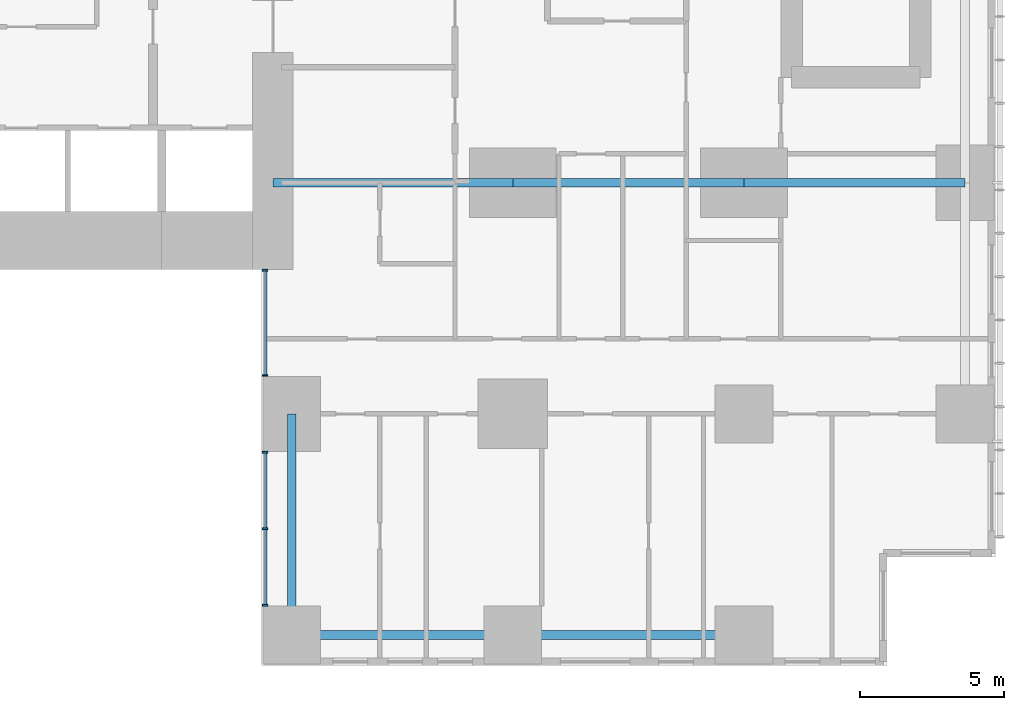
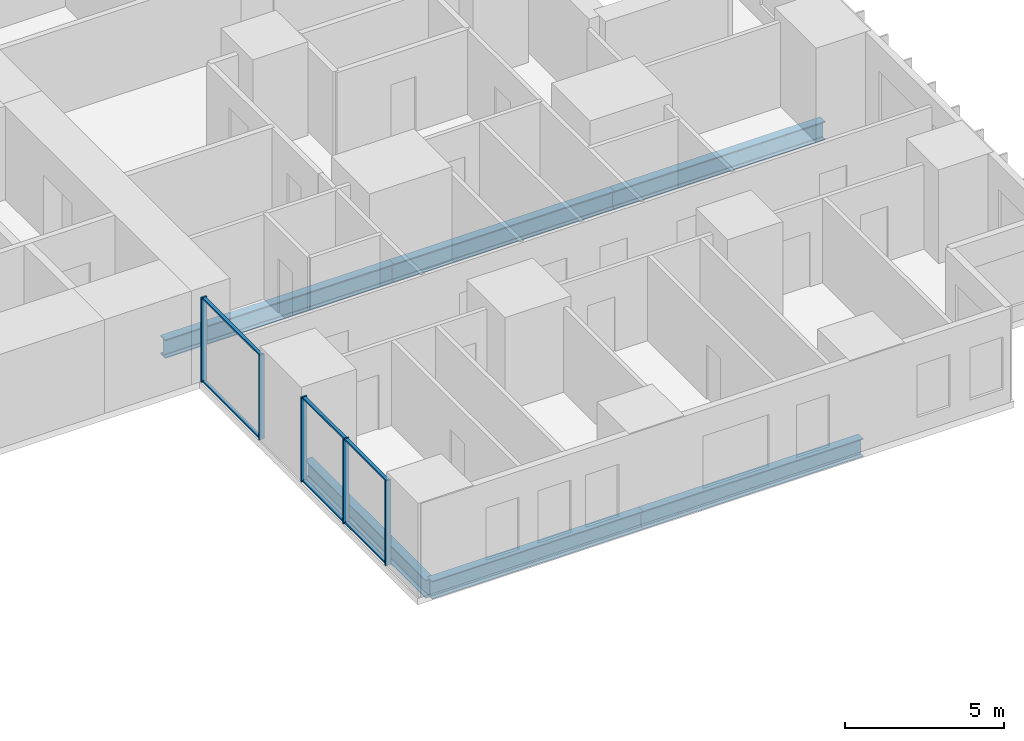
# One storey, part 3 of 20: 11 members, 6 beams, 2 elements without a shape of their own.
"""IFC4 building model written with IfcOpenShell, lengths in metres."""

import ifcopenshell
import ifcopenshell.guid

model = None  # the IFC model being written
_history = None  # IfcOwnerHistory: only IFC2X3 demands one
_inside = {}  # id of a spatial element -> (the spatial element, [elements in it])
_under = {}  # id of a project, library or spatial element -> (it, [spatial elements below it])
_declared = {}  # id of a project -> (the project, [libraries it declares])
_typed = {}  # id of a type object -> (the type object, [elements of that type])
_made_of = {}  # id of a material, layer set ... -> (it, [elements and type objects made of it])


def new_model(schema):
    """Start an empty IFC model of exactly this schema.

    Asked for "IFC4X3", IfcOpenShell would pick the latest addendum, in which some entities
    have other attributes; the version numbers below select the first issue.
    IFC2X3 requires an IfcOwnerHistory on every rooted entity: one is made here for all.
    """
    global model, _history
    if schema == "IFC4X3":
        model = ifcopenshell.file(schema_version=(4, 3, 0, 0))
    else:
        model = ifcopenshell.file(schema=schema)
    _inside.clear()
    _under.clear()
    _declared.clear()
    _typed.clear()
    _made_of.clear()
    _history = None
    if model.schema == "IFC2X3":
        org = make("IfcOrganization", Name="unknown")
        user = make(
            "IfcPersonAndOrganization",
            ThePerson=make("IfcPerson", FamilyName="unknown"),
            TheOrganization=org,
        )
        app = make(
            "IfcApplication",
            ApplicationDeveloper=org,
            Version="unknown",
            ApplicationFullName="unknown",
            ApplicationIdentifier="unknown",
        )
        _history = make(
            "IfcOwnerHistory",
            OwningUser=user,
            OwningApplication=app,
            ChangeAction="ADDED",
            CreationDate=0,
        )
    return model


def make(cls, **values):
    """One entity of the class cls with the attributes given. An attribute that is None is left unset."""
    return model.create_entity(
        cls, **{name: value for name, value in values.items() if value is not None}
    )


def rooted(cls, **values):
    """An entity with a GlobalId (a new one), such as an element, a storey or a relation."""
    return make(cls, GlobalId=ifcopenshell.guid.new(), OwnerHistory=_history, **values)


def si_unit(unit_type, name, prefix=None):
    """IfcSIUnit, for example si_unit("LENGTHUNIT", "METRE", prefix="MILLI")."""
    return make("IfcSIUnit", UnitType=unit_type, Prefix=prefix, Name=name)


def assignment(units):
    """IfcUnitAssignment: the units of a project."""
    return None if units is None else make("IfcUnitAssignment", Units=units)


def point(xyz):
    """IfcCartesianPoint."""
    return None if xyz is None else make("IfcCartesianPoint", Coordinates=xyz)


def direction(xyz):
    """IfcDirection."""
    return None if xyz is None else make("IfcDirection", DirectionRatios=xyz)


def frame(location, z_axis=None, x_axis=None):
    """IfcAxis2Placement3D, a coordinate frame: its origin and axes. An axis left out is left unset."""
    return make(
        "IfcAxis2Placement3D",
        Location=point(location),
        Axis=direction(z_axis),
        RefDirection=direction(x_axis),
    )


def frame_2d(location, x_axis=None):
    """IfcAxis2Placement2D, a coordinate frame in the plane: its origin and x axis."""
    return make(
        "IfcAxis2Placement2D", Location=point(location), RefDirection=direction(x_axis)
    )


def origin():
    """The frame at (0, 0, 0) with its axes left unset."""
    return frame((0.0, 0.0, 0.0))


def origin_2d():
    """The frame at (0, 0) in the plane with its x axis left unset."""
    return frame_2d((0.0, 0.0))


def place(relative_to, where):
    """IfcLocalPlacement: puts the frame where relative to a parent placement (None: the world)."""
    return make(
        "IfcLocalPlacement", PlacementRelTo=relative_to, RelativePlacement=where
    )


def context(
    kind, dimensions, precision=None, world=None, true_north=None, identifier=None
):
    """IfcGeometricRepresentationContext, for example the 3D "Model" context."""
    return make(
        "IfcGeometricRepresentationContext",
        ContextIdentifier=identifier,
        ContextType=kind,
        CoordinateSpaceDimension=dimensions,
        Precision=precision,
        WorldCoordinateSystem=world,
        TrueNorth=true_north,
    )


def subcontext(parent, identifier, kind, view, scale=None):
    """IfcGeometricRepresentationSubContext, for example "Body" below "Model"."""
    return make(
        "IfcGeometricRepresentationSubContext",
        ContextIdentifier=identifier,
        ContextType=kind,
        ParentContext=parent,
        TargetScale=scale,
        TargetView=view,
    )


def project(units=None, contexts=None):
    """IfcProject with its units and contexts."""
    return rooted(
        "IfcProject",
        Name="project",
        RepresentationContexts=contexts,
        UnitsInContext=assignment(units),
    )


def spatial(cls, under=None, at=None, **own):
    """A site, building, storey or space (cls), placed at a placement, below another one or the project."""
    s = rooted(cls, ObjectPlacement=at, **own)
    if under is not None:
        _under.setdefault(under.id(), (under, []))[1].append(s)
    return s


def profile(cls, at=None, kind="AREA", **sizes):
    """A parametric profile (cls). Its sizes go by their IFC names, for example OverallWidth=200.0."""
    return make(cls, ProfileType=kind, Position=at, **sizes)


def rectangle(**sizes):
    """IfcRectangleProfileDef."""
    return profile("IfcRectangleProfileDef", **sizes)


def i_section(**sizes):
    """IfcIShapeProfileDef."""
    return profile("IfcIShapeProfileDef", **sizes)


def extrude(swept, where, along, depth):
    """IfcExtrudedAreaSolid: the profile swept, set in the frame where, extruded along a direction by depth."""
    return make(
        "IfcExtrudedAreaSolid",
        SweptArea=swept,
        Position=where,
        ExtrudedDirection=direction(along),
        Depth=depth,
    )


def shape(context_of_items, identifier, shape_type, items):
    """IfcShapeRepresentation: the items that make up one representation, for example the "Body"."""
    return make(
        "IfcShapeRepresentation",
        ContextOfItems=context_of_items,
        RepresentationIdentifier=identifier,
        RepresentationType=shape_type,
        Items=items,
    )


def material(Name=None, Category=None):
    """IfcMaterial."""
    return make("IfcMaterial", Name=Name, Category=Category)


def layer(
    of_material, thickness, ventilated=None, Name=None, Category=None, Priority=None
):
    """IfcMaterialLayer: one layer of a wall or slab, of a material (None: an air gap)."""
    return make(
        "IfcMaterialLayer",
        Material=of_material,
        LayerThickness=thickness,
        IsVentilated=ventilated,
        Name=Name,
        Category=Category,
        Priority=Priority,
    )


def layer_set(layers, Name=None):
    """IfcMaterialLayerSet."""
    return make("IfcMaterialLayerSet", MaterialLayers=layers, LayerSetName=Name)


def material_profile(
    of_material, cross_section, Name=None, Category=None, Priority=None
):
    """IfcMaterialProfile: a cross section and its material."""
    return make(
        "IfcMaterialProfile",
        Name=Name,
        Material=of_material,
        Profile=cross_section,
        Priority=Priority,
        Category=Category,
    )


def profile_set(profiles, Name=None, composite=None):
    """IfcMaterialProfileSet."""
    return make(
        "IfcMaterialProfileSet",
        Name=Name,
        MaterialProfiles=profiles,
        CompositeProfile=composite,
    )


def made_of(thing, what):
    """Note that an element or type object is made of a material, layer set ...; save() writes the relation."""
    if what is not None:
        _made_of.setdefault(what.id(), (what, []))[1].append(thing)
    return thing


def type_object(cls, material=None, **own):
    """A type object (cls), such as IfcWallType, which elements share."""
    return made_of(rooted(cls, **own), material)


def element(
    cls,
    number,
    at=None,
    inside=None,
    cuts=None,
    type_object=None,
    material=None,
    context=None,
    identifier="Body",
    shape_type=None,
    held_by="IfcProductDefinitionShape",
    body=None,
    shapes=None,
    **own,
):
    """One element of the class cls, such as IfcWall. Its Tag is "e" and its number.

    at: its placement. inside: the storey or other place that contains it. cuts: it is an
    opening in that element (IfcRelVoidsElement). A single representation is given by context,
    identifier, shape_type and body (its items); several are given by shapes. held_by: the class
    of the entity that holds the representations. save() writes the other relations.
    """
    e = rooted(cls, Tag="e%d" % number, ObjectPlacement=at, **own)
    if body is not None:
        shapes = [shape(context, identifier, shape_type, body)]
    if shapes is not None:
        e.Representation = make(held_by, Representations=shapes)
    if inside is not None:
        _inside.setdefault(inside.id(), (inside, []))[1].append(e)
    if cuts is not None:
        rooted(
            "IfcRelVoidsElement", RelatingBuildingElement=cuts, RelatedOpeningElement=e
        )
    if type_object is not None:
        _typed.setdefault(type_object.id(), (type_object, []))[1].append(e)
    return made_of(e, material)


def aggregate(whole, parts):
    """IfcRelAggregates: a whole, such as a stair, and the parts it consists of."""
    return rooted("IfcRelAggregates", RelatingObject=whole, RelatedObjects=parts)


def save(model, path):
    """Write the relations noted so far, then the file.

    IfcRelAggregates (storeys below a building ...), IfcRelContainedInSpatialStructure (elements
    in a storey), IfcRelDefinesByType, IfcRelAssociatesMaterial and IfcRelDeclares: one each for
    every whole, place, type object, material and project.
    """
    for whole, parts in _under.values():
        aggregate(whole, parts)
    for where, things in _inside.values():
        rooted(
            "IfcRelContainedInSpatialStructure",
            RelatedElements=things,
            RelatingStructure=where,
        )
    for kind, things in _typed.values():
        rooted("IfcRelDefinesByType", RelatedObjects=things, RelatingType=kind)
    for what, things in _made_of.values():
        rooted("IfcRelAssociatesMaterial", RelatedObjects=things, RelatingMaterial=what)
    for by, libraries in _declared.values():
        rooted("IfcRelDeclares", RelatingContext=by, RelatedDefinitions=libraries)
    model.write(path)


model = new_model("IFC4")

# Units and contexts
model_context = context("Model", 3, precision=1e-05, world=origin(), true_north=direction((0.0, 1.0)))
body_context = subcontext(model_context, "Body", "Model", "MODEL_VIEW")
ifc_project = project(units=[si_unit("LENGTHUNIT", "METRE"), si_unit("AREAUNIT", "SQUARE_METRE"), si_unit("VOLUMEUNIT", "CUBIC_METRE"), si_unit("PLANEANGLEUNIT", "RADIAN"), si_unit("MASSUNIT", "GRAM", prefix="KILO")], contexts=[model_context])

# Site, building, storey
site_placement = place(None, origin())
site = spatial("IfcSite", under=ifc_project, at=site_placement, CompositionType="ELEMENT")
building_placement = place(site_placement, origin())
building = spatial("IfcBuilding", under=site, at=building_placement, Name="Cleftline Residences", CompositionType="ELEMENT")
storey_placement = place(building_placement, frame((0.0, 0.0, 87.199951171875)))
storey = spatial("IfcBuildingStorey", under=building, at=storey_placement, Name="L22", CompositionType="ELEMENT", Elevation=87.199951171875)

# Beams
ifc_material_1 = material(Name="Steel S355", Category="steel")
ifc_material_profile_1 = material_profile(ifc_material_1, i_section(OverallWidth=0.300048828125, OverallDepth=0.699951171875, WebThickness=0.01708984375, FlangeThickness=0.031982421875, FilletRadius=0.027099609375, at=origin_2d()))
ifc_profile_set_1 = profile_set([ifc_material_profile_1], Name="Steel S355")
beam_type_1 = type_object("IfcBeamType", Name="BEAM HEB 700", PredefinedType="BEAM", material=ifc_profile_set_1)
beam_1_placement = place(storey_placement, frame((58.0, 0.35009765625, -0.599853515625), z_axis=(-1.0, 0.0, 0.0), x_axis=(0.0, -1.0, 0.0)))
element("IfcBeam", 1, at=beam_1_placement, inside=storey, type_object=beam_type_1, Name="Edge beam", PredefinedType="BEAM", context=body_context, shape_type="SweptSolid", body=[
    extrude(i_section(OverallWidth=0.300048828125, OverallDepth=0.699951171875, WebThickness=0.01708984375, FlangeThickness=0.031982421875, FilletRadius=0.027099609375, at=origin_2d()), origin(), (0.0, 0.0, 1.0), 8.0),
])
for number, where, z_axis, x_axis, name in (
    (2, (50.0, 0.35009765625, -0.599853515625), (-1.0, 0.0, 0.0), (0.0, -1.0, 0.0), "Edge beam"),
    (3, (42.35009765625, 0.35009765625, -0.599853515625), (0.0, 1.0, 0.0), (-1.0, 0.0, 0.0), "Edge beam"),
):
    element("IfcBeam", number, at=place(storey_placement, frame(where, z_axis=z_axis, x_axis=x_axis)), inside=storey, type_object=beam_type_1, Name=name, PredefinedType="BEAM", context=body_context, shape_type="SweptSolid", body=[
        extrude(i_section(OverallWidth=0.300048828125, OverallDepth=0.699951171875, WebThickness=0.01708984375, FlangeThickness=0.031982421875, FilletRadius=0.027099609375, at=origin_2d()), origin(), (0.0, 0.0, 1.0), 7.64990234375),
    ])
ifc_material_2 = material(Name="Steel S355", Category="steel")
ifc_material_profile_2 = material_profile(ifc_material_2, i_section(OverallWidth=0.303955078125, OverallDepth=0.716064453125, WebThickness=0.02099609375, FlangeThickness=0.0400390625, FilletRadius=0.027099609375, at=origin_2d()))
ifc_profile_set_2 = profile_set([ifc_material_profile_2], Name="Steel S355")
beam_type_2 = type_object("IfcBeamType", Name="BEAM HEM 700", PredefinedType="BEAM", material=ifc_profile_set_2)
beam_2_placement = place(storey_placement, frame((65.64990234375, 16.0, -0.60791015625), z_axis=(-1.0, 0.0, 0.0), x_axis=(0.0, -1.0, 0.0)))
element("IfcBeam", 4, at=beam_2_placement, inside=storey, type_object=beam_type_2, Name="Band beam", PredefinedType="BEAM", context=body_context, shape_type="SweptSolid", body=[
    extrude(i_section(OverallWidth=0.303955078125, OverallDepth=0.716064453125, WebThickness=0.02099609375, FlangeThickness=0.0400390625, FilletRadius=0.027099609375, at=origin_2d()), origin(), (0.0, 0.0, 1.0), 7.64990234375),
])
beam_3_placement = place(storey_placement, frame((58.0, 16.0, -0.60791015625), z_axis=(-1.0, 0.0, 0.0), x_axis=(0.0, -1.0, 0.0)))
element("IfcBeam", 5, at=beam_3_placement, inside=storey, type_object=beam_type_2, Name="Band beam", PredefinedType="BEAM", context=body_context, shape_type="SweptSolid", body=[
    extrude(i_section(OverallWidth=0.303955078125, OverallDepth=0.716064453125, WebThickness=0.02099609375, FlangeThickness=0.0400390625, FilletRadius=0.027099609375, at=origin_2d()), origin(), (0.0, 0.0, 1.0), 8.0),
])
beam_4_placement = place(storey_placement, frame((50.0, 16.0, -0.60791015625), z_axis=(-1.0, 0.0, 0.0), x_axis=(0.0, -1.0, 0.0)))
element("IfcBeam", 6, at=beam_4_placement, inside=storey, type_object=beam_type_2, Name="Band beam", PredefinedType="BEAM", context=body_context, shape_type="SweptSolid", body=[
    extrude(i_section(OverallWidth=0.303955078125, OverallDepth=0.716064453125, WebThickness=0.02099609375, FlangeThickness=0.0400390625, FilletRadius=0.027099609375, at=origin_2d()), origin(), (0.0, 0.0, 1.0), 8.300048828125),
])

# Curtain wall, members
ifc_material_3 = material(Name="Aluminium framed curtain wall", Category="aluminium")
ifc_layer = layer(ifc_material_3, 0.199951171875)
ifc_layer_set = layer_set([ifc_layer], Name="CW1 CLEFT GLAZING")
curtain_wall_type = type_object("IfcCurtainWallType", Name="CW1 CLEFT GLAZING", PredefinedType="NOTDEFINED", material=ifc_layer_set)
curtain_wall_1_placement = place(storey_placement, origin())
curtain_wall_1 = element("IfcCurtainWall", 7, at=curtain_wall_1_placement, inside=storey, type_object=curtain_wall_type, Name="Curtain wall CW1", PredefinedType="NOTDEFINED")
ifc_material_4 = material(Name="Aluminium mullion", Category="aluminium")
ifc_material_profile_3 = material_profile(ifc_material_4, rectangle(XDim=0.199951171875, YDim=0.06005859375, at=origin_2d()))
ifc_profile_set_3 = profile_set([ifc_material_profile_3], Name="Aluminium mullion")
member_type_1 = type_object("IfcMemberType", Name="CW1 MULLION", PredefinedType="MULLION", material=ifc_profile_set_3)
member_1_placement = place(storey_placement, frame((41.425048828125, 12.969970703125, 0.0), z_axis=(0.0, 0.0, 1.0), x_axis=(1.0, 0.0, 0.0)))
member_1 = element("IfcMember", 8, at=member_1_placement, type_object=member_type_1, Name="CW1 mullion 1", PredefinedType="MULLION", context=body_context, shape_type="SweptSolid", body=[
    extrude(rectangle(XDim=0.199951171875, YDim=0.06005859375, at=origin_2d()), origin(), (0.0, 0.0, 1.0), 3.25),
])
member_2_placement = place(storey_placement, frame((41.425048828125, 9.330078125, 0.0), z_axis=(0.0, 0.0, 1.0), x_axis=(1.0, 0.0, 0.0)))
member_2 = element("IfcMember", 9, at=member_2_placement, type_object=member_type_1, Name="CW1 mullion 2", PredefinedType="MULLION", context=body_context, shape_type="SweptSolid", body=[
    extrude(rectangle(XDim=0.199951171875, YDim=0.06005859375, at=origin_2d()), origin(), (0.0, 0.0, 1.0), 3.25),
])

curtain_wall_2_placement = place(storey_placement, origin())
curtain_wall_2 = element("IfcCurtainWall", 10, at=curtain_wall_2_placement, inside=storey, type_object=curtain_wall_type, Name="Curtain wall CW1", PredefinedType="NOTDEFINED")
member_3_placement = place(storey_placement, frame((41.425048828125, 6.669921875, 0.0), z_axis=(0.0, 0.0, 1.0), x_axis=(1.0, 0.0, 0.0)))
member_3 = element("IfcMember", 11, at=member_3_placement, type_object=member_type_1, Name="CW1 mullion 1", PredefinedType="MULLION", context=body_context, shape_type="SweptSolid", body=[
    extrude(rectangle(XDim=0.199951171875, YDim=0.06005859375, at=origin_2d()), origin(), (0.0, 0.0, 1.0), 3.25),
])
member_4_placement = place(storey_placement, frame((41.425048828125, 4.02490234375, 0.0), z_axis=(0.0, 0.0, 1.0), x_axis=(1.0, 0.0, 0.0)))
member_4 = element("IfcMember", 12, at=member_4_placement, type_object=member_type_1, Name="CW1 mullion 2", PredefinedType="MULLION", context=body_context, shape_type="SweptSolid", body=[
    extrude(rectangle(XDim=0.199951171875, YDim=0.06005859375, at=origin_2d()), origin(), (0.0, 0.0, 1.0), 3.25),
])
member_5_placement = place(storey_placement, frame((41.425048828125, 1.3798828125, 0.0), z_axis=(0.0, 0.0, 1.0), x_axis=(1.0, 0.0, 0.0)))
member_5 = element("IfcMember", 13, at=member_5_placement, type_object=member_type_1, Name="CW1 mullion 3", PredefinedType="MULLION", context=body_context, shape_type="SweptSolid", body=[
    extrude(rectangle(XDim=0.199951171875, YDim=0.06005859375, at=origin_2d()), origin(), (0.0, 0.0, 1.0), 3.25),
])

# Member
ifc_material_5 = material(Name="Aluminium transom", Category="aluminium")
ifc_material_profile_4 = material_profile(ifc_material_5, rectangle(XDim=0.1201171875, YDim=0.06005859375, at=origin_2d()))
ifc_profile_set_4 = profile_set([ifc_material_profile_4], Name="Aluminium transom")
member_type_2 = type_object("IfcMemberType", Name="CW1 TRANSOM", PredefinedType="USERDEFINED", material=ifc_profile_set_4)
member_6_placement = place(storey_placement, frame((41.425048828125, 12.93994140625, 0.030029296875), z_axis=(0.0, -1.0, 0.0), x_axis=(1.0, 0.0, 0.0)))
member_6 = element("IfcMember", 14, at=member_6_placement, type_object=member_type_2, Name="CW1 transom 1.1", ObjectType="TRANSOM", PredefinedType="USERDEFINED", context=body_context, shape_type="SweptSolid", body=[
    extrude(rectangle(XDim=0.1201171875, YDim=0.06005859375, at=origin_2d()), origin(), (0.0, 0.0, 1.0), 3.579833984375),
])

member_7_placement = place(storey_placement, frame((41.425048828125, 12.93994140625, 3.219970703125), z_axis=(0.0, -1.0, 0.0), x_axis=(1.0, 0.0, 0.0)))
member_7 = element("IfcMember", 15, at=member_7_placement, type_object=member_type_2, Name="CW1 transom 1.2", ObjectType="TRANSOM", PredefinedType="USERDEFINED", context=body_context, shape_type="SweptSolid", body=[
    extrude(rectangle(XDim=0.1201171875, YDim=0.06005859375, at=origin_2d()), origin(), (0.0, 0.0, 1.0), 3.579833984375),
])

aggregate(curtain_wall_1, [member_1, member_2, member_6, member_7])

member_8_placement = place(storey_placement, frame((41.425048828125, 6.639892578125, 0.030029296875), z_axis=(0.0, -1.0, 0.0), x_axis=(1.0, 0.0, 0.0)))
member_8 = element("IfcMember", 16, at=member_8_placement, type_object=member_type_2, Name="CW1 transom 1.1", ObjectType="TRANSOM", PredefinedType="USERDEFINED", context=body_context, shape_type="SweptSolid", body=[
    extrude(rectangle(XDim=0.1201171875, YDim=0.06005859375, at=origin_2d()), origin(), (0.0, 0.0, 1.0), 2.5849609375),
])

member_9_placement = place(storey_placement, frame((41.425048828125, 6.639892578125, 3.219970703125), z_axis=(0.0, -1.0, 0.0), x_axis=(1.0, 0.0, 0.0)))
member_9 = element("IfcMember", 17, at=member_9_placement, type_object=member_type_2, Name="CW1 transom 1.2", ObjectType="TRANSOM", PredefinedType="USERDEFINED", context=body_context, shape_type="SweptSolid", body=[
    extrude(rectangle(XDim=0.1201171875, YDim=0.06005859375, at=origin_2d()), origin(), (0.0, 0.0, 1.0), 2.5849609375),
])

member_10_placement = place(storey_placement, frame((41.425048828125, 3.9951171875, 0.030029296875), z_axis=(0.0, -1.0, 0.0), x_axis=(1.0, 0.0, 0.0)))
member_10 = element("IfcMember", 18, at=member_10_placement, type_object=member_type_2, Name="CW1 transom 2.1", ObjectType="TRANSOM", PredefinedType="USERDEFINED", context=body_context, shape_type="SweptSolid", body=[
    extrude(rectangle(XDim=0.1201171875, YDim=0.06005859375, at=origin_2d()), origin(), (0.0, 0.0, 1.0), 2.585205078125),
])

member_11_placement = place(storey_placement, frame((41.425048828125, 3.9951171875, 3.219970703125), z_axis=(0.0, -1.0, 0.0), x_axis=(1.0, 0.0, 0.0)))
member_11 = element("IfcMember", 19, at=member_11_placement, type_object=member_type_2, Name="CW1 transom 2.2", ObjectType="TRANSOM", PredefinedType="USERDEFINED", context=body_context, shape_type="SweptSolid", body=[
    extrude(rectangle(XDim=0.1201171875, YDim=0.06005859375, at=origin_2d()), origin(), (0.0, 0.0, 1.0), 2.585205078125),
])

aggregate(curtain_wall_2, [member_3, member_4, member_5, member_8, member_9, member_10, member_11])

save(model, "model.ifc")
